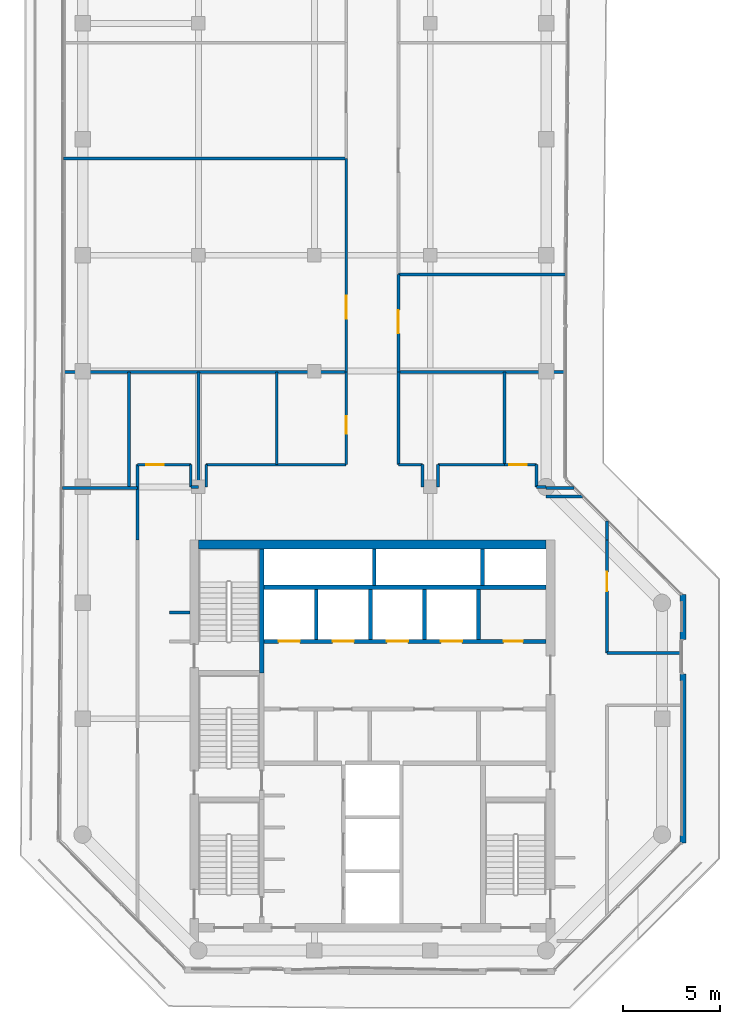
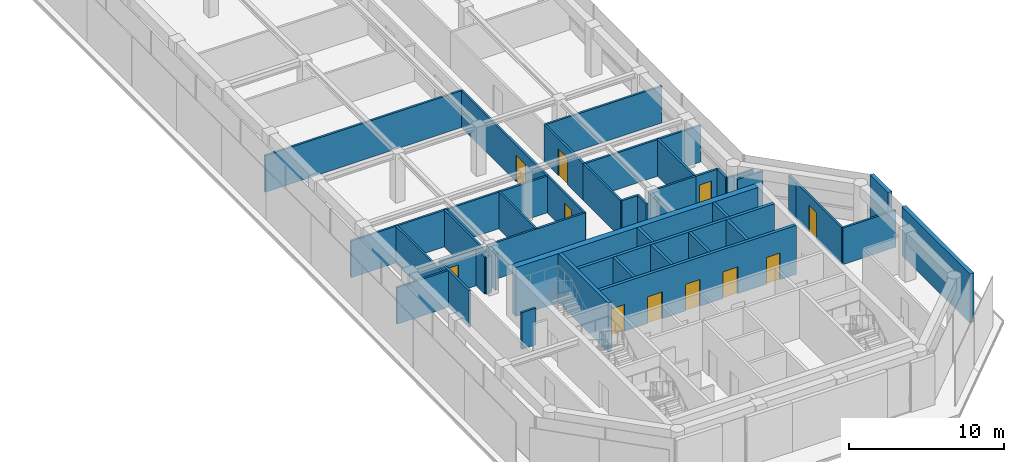
# One storey, part 16 of 19: 44 walls, 11 doors, 11 openings.
"""IFC4 building model written with IfcOpenShell, lengths in metres."""

from ifc_helpers import new_model, si_unit, direction, frame, frame_2d, origin, place, context, subcontext, project, spatial, rectangle, extrude, material, layer, layer_set, type_object, element, fill, save


model = new_model("IFC4")

# Units and contexts
model_context = context("Model", 3, precision=1e-05, world=origin(), true_north=direction((0.0, 1.0)))
body_context = subcontext(model_context, "Body", "Model", "MODEL_VIEW")
ifc_project = project(units=[si_unit("LENGTHUNIT", "METRE"), si_unit("AREAUNIT", "SQUARE_METRE"), si_unit("VOLUMEUNIT", "CUBIC_METRE"), si_unit("PLANEANGLEUNIT", "RADIAN"), si_unit("MASSUNIT", "GRAM", prefix="KILO")], contexts=[model_context])

# Site, building, storey
site_placement = place(None, origin())
site = spatial("IfcSite", under=ifc_project, at=site_placement, CompositionType="ELEMENT")
building_placement = place(site_placement, origin())
building = spatial("IfcBuilding", under=site, at=building_placement, Name="Welwitschia Terrace Campus", CompositionType="ELEMENT")
storey_placement = place(building_placement, frame((0.0, 0.0, 230.60009765625)))
storey = spatial("IfcBuildingStorey", under=building, at=storey_placement, Name="L51", CompositionType="ELEMENT", Elevation=230.60009765625)

# Wall, openings, doors
ifc_material_1 = material(Name="Concrete C32/40", Category="concrete")
ifc_layer_1 = layer(ifc_material_1, 0.22509765625)
ifc_layer_set_1 = layer_set([ifc_layer_1], Name="Concrete C32/40")
wall_type_1 = type_object("IfcWallType", Name="Core partition 225 Concrete C32/40", PredefinedType="PARTITIONING", material=ifc_layer_set_1)
wall_1_placement = place(storey_placement, frame((24.0, 20.0, 0.0), z_axis=(0.0, 0.0, 1.0), x_axis=(-1.0, 0.0, 0.0)))
wall_1 = element("IfcWall", 1, at=wall_1_placement, inside=storey, type_object=wall_type_1, Name="Shaft wall", PredefinedType="PARTITIONING", context=body_context, shape_type="SweptSolid", body=[
    extrude(rectangle(XDim=14.60009765625, YDim=0.22509765625, at=frame_2d((7.300048828125, 0.0))), origin(), (0.0, 0.0, 1.0), 3.849853515625),
])
opening_1_placement = place(wall_1_placement, frame((12.75, 0.0, 0.0)))
opening_1 = element("IfcOpeningElement", 2, at=opening_1_placement, cuts=wall_1, Name="Opening LD", PredefinedType="OPENING", context=body_context, shape_type="SweptSolid", body=[
    extrude(rectangle(XDim=1.10009765625, YDim=2.10009765625, at=frame_2d((0.550048828125, 1.050048828125))), frame((0.0, 0.12255859375, 0.0), z_axis=(0.0, -1.0, 0.0), x_axis=(1.0, 0.0, 0.0)), (0.0, 0.0, 1.0), 0.2451171875),
])
opening_2_placement = place(wall_1_placement, frame((9.949951171875, 0.0, 0.0)))
opening_2 = element("IfcOpeningElement", 3, at=opening_2_placement, cuts=wall_1, Name="Opening LD", PredefinedType="OPENING", context=body_context, shape_type="SweptSolid", body=[
    extrude(rectangle(XDim=1.10009765625, YDim=2.10009765625, at=frame_2d((0.550048828125, 1.050048828125))), frame((0.0, 0.12255859375, 0.0), z_axis=(0.0, -1.0, 0.0), x_axis=(1.0, 0.0, 0.0)), (0.0, 0.0, 1.0), 0.2451171875),
])
opening_3_placement = place(wall_1_placement, frame((7.14990234375, 0.0, 0.0)))
opening_3 = element("IfcOpeningElement", 4, at=opening_3_placement, cuts=wall_1, Name="Opening LD", PredefinedType="OPENING", context=body_context, shape_type="SweptSolid", body=[
    extrude(rectangle(XDim=1.10009765625, YDim=2.10009765625, at=frame_2d((0.550048828125, 1.050048828125))), frame((0.0, 0.12255859375, 0.0), z_axis=(0.0, -1.0, 0.0), x_axis=(1.0, 0.0, 0.0)), (0.0, 0.0, 1.0), 0.2451171875),
])
opening_4_placement = place(wall_1_placement, frame((4.35009765625, 0.0, 0.0)))
opening_4 = element("IfcOpeningElement", 5, at=opening_4_placement, cuts=wall_1, Name="Opening LD", PredefinedType="OPENING", context=body_context, shape_type="SweptSolid", body=[
    extrude(rectangle(XDim=1.10009765625, YDim=2.10009765625, at=frame_2d((0.550048828125, 1.050048828125))), frame((0.0, 0.12255859375, 0.0), z_axis=(0.0, -1.0, 0.0), x_axis=(1.0, 0.0, 0.0)), (0.0, 0.0, 1.0), 0.2451171875),
])
opening_5_placement = place(wall_1_placement, frame((1.199951171875, 0.0, 0.0)))
opening_5 = element("IfcOpeningElement", 6, at=opening_5_placement, cuts=wall_1, Name="Opening DR10", PredefinedType="OPENING", context=body_context, shape_type="SweptSolid", body=[
    extrude(rectangle(XDim=1.0, YDim=2.10009765625, at=frame_2d((0.5, 1.050048828125))), frame((0.0, 0.12255859375, 0.0), z_axis=(0.0, -1.0, 0.0), x_axis=(1.0, 0.0, 0.0)), (0.0, 0.0, 1.0), 0.2451171875),
])
ifc_material_2 = material(Name="Steel S275", Category="steel")
door_type_1 = type_object("IfcDoorType", Name="Core door DR10", OperationType="SINGLE_SWING_LEFT", PredefinedType="DOOR", material=ifc_material_2)
door_1_placement = place(opening_5_placement, origin())
door_1 = element("IfcDoor", 7, at=door_1_placement, inside=storey, type_object=door_type_1, Name="Door EH-D", OperationType="SINGLE_SWING_LEFT", OverallHeight=2.10009765625, OverallWidth=1.0, PredefinedType="DOOR", context=body_context, shape_type="SweptSolid", body=[
    extrude(rectangle(XDim=1.0, YDim=2.10009765625, at=frame_2d((0.5, 1.050048828125))), frame((0.0, 0.02490234375, 0.0), z_axis=(0.0, -1.0, 0.0), x_axis=(1.0, 0.0, 0.0)), (0.0, 0.0, 1.0), 0.050048828125),
])
fill(opening_5, door_1)
ifc_material_3 = material(Name="Stainless steel 304", Category="steel")
door_type_2 = type_object("IfcDoorType", Name="Lift landing door", OperationType="DOUBLE_DOOR_SLIDING", PredefinedType="DOOR", material=ifc_material_3)
door_2_placement = place(opening_1_placement, origin())
door_2 = element("IfcDoor", 8, at=door_2_placement, inside=storey, type_object=door_type_2, Name="Landing door HR1", OperationType="DOUBLE_DOOR_SLIDING", OverallHeight=2.10009765625, OverallWidth=1.10009765625, PredefinedType="DOOR", context=body_context, shape_type="SweptSolid", body=[
    extrude(rectangle(XDim=1.10009765625, YDim=2.10009765625, at=frame_2d((0.550048828125, 1.050048828125))), frame((0.0, 0.02490234375, 0.0), z_axis=(0.0, -1.0, 0.0), x_axis=(1.0, 0.0, 0.0)), (0.0, 0.0, 1.0), 0.050048828125),
])
fill(opening_1, door_2)
door_3_placement = place(opening_2_placement, origin())
door_3 = element("IfcDoor", 9, at=door_3_placement, inside=storey, type_object=door_type_2, Name="Landing door HR2", OperationType="DOUBLE_DOOR_SLIDING", OverallHeight=2.10009765625, OverallWidth=1.10009765625, PredefinedType="DOOR", context=body_context, shape_type="SweptSolid", body=[
    extrude(rectangle(XDim=1.10009765625, YDim=2.10009765625, at=frame_2d((0.550048828125, 1.050048828125))), frame((0.0, 0.02490234375, 0.0), z_axis=(0.0, -1.0, 0.0), x_axis=(1.0, 0.0, 0.0)), (0.0, 0.0, 1.0), 0.050048828125),
])
fill(opening_2, door_3)
door_4_placement = place(opening_3_placement, origin())
door_4 = element("IfcDoor", 10, at=door_4_placement, inside=storey, type_object=door_type_2, Name="Landing door HR3", OperationType="DOUBLE_DOOR_SLIDING", OverallHeight=2.10009765625, OverallWidth=1.10009765625, PredefinedType="DOOR", context=body_context, shape_type="SweptSolid", body=[
    extrude(rectangle(XDim=1.10009765625, YDim=2.10009765625, at=frame_2d((0.550048828125, 1.050048828125))), frame((0.0, 0.02490234375, 0.0), z_axis=(0.0, -1.0, 0.0), x_axis=(1.0, 0.0, 0.0)), (0.0, 0.0, 1.0), 0.050048828125),
])
fill(opening_3, door_4)
door_5_placement = place(opening_4_placement, origin())
door_5 = element("IfcDoor", 11, at=door_5_placement, inside=storey, type_object=door_type_2, Name="Landing door HR4", OperationType="DOUBLE_DOOR_SLIDING", OverallHeight=2.10009765625, OverallWidth=1.10009765625, PredefinedType="DOOR", context=body_context, shape_type="SweptSolid", body=[
    extrude(rectangle(XDim=1.10009765625, YDim=2.10009765625, at=frame_2d((0.550048828125, 1.050048828125))), frame((0.0, 0.02490234375, 0.0), z_axis=(0.0, -1.0, 0.0), x_axis=(1.0, 0.0, 0.0)), (0.0, 0.0, 1.0), 0.050048828125),
])
fill(opening_4, door_5)

# Walls
wall_2_placement = place(storey_placement, frame((9.39990234375, 22.800048828125, 0.0), z_axis=(0.0, 0.0, 1.0), x_axis=(1.0, 0.0, 0.0)))
element("IfcWall", 12, at=wall_2_placement, inside=storey, type_object=wall_type_1, Name="Shaft wall", PredefinedType="PARTITIONING", context=body_context, shape_type="SweptSolid", body=[
    extrude(rectangle(XDim=14.60009765625, YDim=0.22509765625, at=frame_2d((7.300048828125, 0.0))), origin(), (0.0, 0.0, 1.0), 3.849853515625),
])
wall_3_placement = place(storey_placement, frame((20.5, 20.10009765625, 0.0), z_axis=(0.0, 0.0, 1.0), x_axis=(0.0, 1.0, 0.0)))
element("IfcWall", 13, at=wall_3_placement, inside=storey, type_object=wall_type_1, Name="Shaft wall", PredefinedType="PARTITIONING", context=body_context, shape_type="SweptSolid", body=[
    extrude(rectangle(XDim=2.599853515625, YDim=0.22509765625, at=frame_2d((1.2998046875, 0.0))), origin(), (0.0, 0.0, 1.0), 3.849853515625),
])
ifc_material_4 = material(Name="Concrete C50/60", Category="concrete")
ifc_layer_2 = layer(ifc_material_4, 0.199951171875)
ifc_layer_set_2 = layer_set([ifc_layer_2], Name="Concrete C50/60")
wall_type_2 = type_object("IfcWallType", Name="Core wall 200 Concrete C50/60", PredefinedType="SHEAR", material=ifc_layer_set_2)
for number, where, z_axis, x_axis, name in (
    (14, (15.10009765625, 22.89990234375, 0.0), (0.0, 0.0, 1.0), (0.0, 1.0, 0.0), "Core wall"),
    (15, (20.699951171875, 22.89990234375, 0.0), (0.0, 0.0, 1.0), (0.0, 1.0, 0.0), "Core wall"),
):
    element("IfcWall", number, at=place(storey_placement, frame(where, z_axis=z_axis, x_axis=x_axis)), inside=storey, type_object=wall_type_2, Name=name, PredefinedType="SHEAR", context=body_context, shape_type="SweptSolid", body=[
        extrude(rectangle(XDim=1.900146484375, YDim=0.199951171875, at=frame_2d((0.9501953125, 0.0))), origin(), (0.0, 0.0, 1.0), 3.849853515625),
    ])
ifc_material_5 = material(Name="Concrete C50/60", Category="concrete")
ifc_layer_3 = layer(ifc_material_5, 0.25)
ifc_layer_set_3 = layer_set([ifc_layer_3], Name="Concrete C50/60")
wall_type_3 = type_object("IfcWallType", Name="Core wall 250 Concrete C50/60", PredefinedType="SHEAR", material=ifc_layer_set_3)
wall_4_placement = place(storey_placement, frame((9.27490234375, 18.375, 0.0), z_axis=(0.0, 0.0, 1.0), x_axis=(0.0, 1.0, 0.0)))
element("IfcWall", 16, at=wall_4_placement, inside=storey, type_object=wall_type_3, Name="Core wall", PredefinedType="SHEAR", context=body_context, shape_type="SweptSolid", body=[
    extrude(rectangle(XDim=6.425048828125, YDim=0.25, at=frame_2d((3.21240234375, 0.0))), origin(), (0.0, 0.0, 1.0), 3.849853515625),
])
ifc_material_6 = material(Name="Concrete C60/75", Category="concrete")
ifc_layer_4 = layer(ifc_material_6, 0.449951171875)
ifc_layer_set_4 = layer_set([ifc_layer_4], Name="Concrete C60/75")
wall_type_4 = type_object("IfcWallType", Name="Core wall 450 Concrete C60/75", PredefinedType="SHEAR", material=ifc_layer_set_4)
wall_5_placement = place(storey_placement, frame((6.0, 25.02490234375, 0.0), z_axis=(0.0, 0.0, 1.0), x_axis=(1.0, 0.0, 0.0)))
element("IfcWall", 17, at=wall_5_placement, inside=storey, type_object=wall_type_4, Name="Core outer wall", PredefinedType="SHEAR", context=body_context, shape_type="SweptSolid", body=[
    extrude(rectangle(XDim=18.0, YDim=0.449951171875, at=frame_2d((9.0, 0.0))), origin(), (0.0, 0.0, 1.0), 3.849853515625),
])
ifc_material_7 = material(Name="Gypsum board on steel studs", Category="steel")
ifc_layer_5 = layer(ifc_material_7, 0.14990234375)
ifc_layer_set_5 = layer_set([ifc_layer_5], Name="Gypsum board on steel studs")
wall_type_5 = type_object("IfcWallType", Name="Corridor partition 150 EI 30", PredefinedType="PARTITIONING", material=ifc_layer_set_5)
wall_6_placement = place(storey_placement, frame((-1.050048828125, 27.949951171875, 0.0), z_axis=(0.0, 0.0, 1.0), x_axis=(1.0, 0.0, 0.0)))
element("IfcWall", 18, at=wall_6_placement, inside=storey, type_object=wall_type_5, Name="Partition", PredefinedType="PARTITIONING", context=body_context, shape_type="SweptSolid", body=[
    extrude(rectangle(XDim=3.900146484375, YDim=0.14990234375, at=frame_2d((1.9501953125, 0.0))), origin(), (0.0, 0.0, 1.0), 2.8798828125),
])
wall_7_placement = place(storey_placement, frame((-1.0, 33.949951171875, 0.0), z_axis=(0.0, 0.0, 1.0), x_axis=(1.0, 0.0, 0.0)))
element("IfcWall", 19, at=wall_7_placement, inside=storey, type_object=wall_type_5, Name="Partition", PredefinedType="PARTITIONING", context=body_context, shape_type="SweptSolid", body=[
    extrude(rectangle(XDim=14.64990234375, YDim=0.14990234375, at=frame_2d((7.324951171875, 0.0))), origin(), (0.0, 0.0, 1.0), 2.8798828125),
])
wall_8_placement = place(storey_placement, frame((-0.97998046875, 45.0, 0.0), z_axis=(0.0, 0.0, 1.0), x_axis=(1.0, 0.0, 0.0)))
element("IfcWall", 20, at=wall_8_placement, inside=storey, type_object=wall_type_5, Name="Partition", PredefinedType="PARTITIONING", context=body_context, shape_type="SweptSolid", body=[
    extrude(rectangle(XDim=14.6298828125, YDim=0.14990234375, at=frame_2d((7.31494140625, 0.0))), origin(), (0.0, 0.0, 1.0), 2.8798828125),
])
wall_9_placement = place(storey_placement, frame((2.39990234375, 27.949951171875, 0.0), z_axis=(0.0, 0.0, 1.0), x_axis=(0.0, 1.0, 0.0)))
element("IfcWall", 21, at=wall_9_placement, inside=storey, type_object=wall_type_5, Name="Partition", PredefinedType="PARTITIONING", context=body_context, shape_type="SweptSolid", body=[
    extrude(rectangle(XDim=6.0, YDim=0.14990234375, at=frame_2d((3.0, 0.0))), origin(), (0.0, 0.0, 1.0), 2.8798828125),
])
wall_10_placement = place(storey_placement, frame((2.85009765625, 25.25, 0.0), z_axis=(0.0, 0.0, 1.0), x_axis=(0.0, 1.0, 0.0)))
element("IfcWall", 22, at=wall_10_placement, inside=storey, type_object=wall_type_5, Name="Partition", PredefinedType="PARTITIONING", context=body_context, shape_type="SweptSolid", body=[
    extrude(rectangle(XDim=3.89990234375, YDim=0.14990234375, at=frame_2d((1.949951171875, 0.0))), origin(), (0.0, 0.0, 1.0), 2.8798828125),
])

# Wall, opening, door
wall_11_placement = place(storey_placement, frame((2.85009765625, 29.14990234375, 0.0), z_axis=(0.0, 0.0, 1.0), x_axis=(1.0, 0.0, 0.0)))
wall_11 = element("IfcWall", 23, at=wall_11_placement, inside=storey, type_object=wall_type_5, Name="Partition", PredefinedType="PARTITIONING", context=body_context, shape_type="SweptSolid", body=[
    extrude(rectangle(XDim=2.75, YDim=0.14990234375, at=frame_2d((1.375, 0.0))), origin(), (0.0, 0.0, 1.0), 2.8798828125),
])
opening_6_placement = place(wall_11_placement, frame((0.449951171875, 0.0, 0.0)))
opening_6 = element("IfcOpeningElement", 24, at=opening_6_placement, cuts=wall_11, Name="Opening DI09", PredefinedType="OPENING", context=body_context, shape_type="SweptSolid", body=[
    extrude(rectangle(XDim=0.89990234375, YDim=2.10009765625, at=frame_2d((0.449951171875, 1.050048828125))), frame((0.0, 0.0849609375, 0.0), z_axis=(0.0, -1.0, 0.0), x_axis=(1.0, 0.0, 0.0)), (0.0, 0.0, 1.0), 0.169921875),
])
ifc_material_8 = material(Name="Timber veneered door", Category="wood")
door_type_3 = type_object("IfcDoorType", Name="Interior door DI09", OperationType="NOTDEFINED", PredefinedType="DOOR", material=ifc_material_8)
door_6_placement = place(opening_6_placement, origin())
door_6 = element("IfcDoor", 25, at=door_6_placement, inside=storey, type_object=door_type_3, Name="Door L51 949", OperationType="SINGLE_SWING_RIGHT", OverallHeight=2.10009765625, OverallWidth=0.89990234375, PredefinedType="DOOR", context=body_context, shape_type="SweptSolid", body=[
    extrude(rectangle(XDim=0.89990234375, YDim=2.10009765625, at=frame_2d((0.449951171875, 1.050048828125))), frame((0.0, 0.02490234375, 0.0), z_axis=(0.0, -1.0, 0.0), x_axis=(1.0, 0.0, 0.0)), (0.0, 0.0, 1.0), 0.050048828125),
])
fill(opening_6, door_6)

# Walls
wall_12_placement = place(storey_placement, frame((4.5, 21.5, 0.0), z_axis=(0.0, 0.0, 1.0), x_axis=(1.0, 0.0, 0.0)))
element("IfcWall", 26, at=wall_12_placement, inside=storey, type_object=wall_type_5, Name="Partition", PredefinedType="PARTITIONING", context=body_context, shape_type="SweptSolid", body=[
    extrude(rectangle(XDim=1.050048828125, YDim=0.14990234375, at=frame_2d((0.52490234375, 0.0))), origin(), (0.0, 0.0, 1.0), 2.8798828125),
])
wall_13_placement = place(storey_placement, frame((5.60009765625, 28.0, 0.0), z_axis=(0.0, 0.0, 1.0), x_axis=(0.0, 1.0, 0.0)))
element("IfcWall", 27, at=wall_13_placement, inside=storey, type_object=wall_type_5, Name="Partition", PredefinedType="PARTITIONING", context=body_context, shape_type="SweptSolid", body=[
    extrude(rectangle(XDim=1.14990234375, YDim=0.14990234375, at=frame_2d((0.574951171875, 0.0))), origin(), (0.0, 0.0, 1.0), 2.8798828125),
])
wall_14_placement = place(storey_placement, frame((5.60009765625, 28.0, 0.0), z_axis=(0.0, 0.0, 1.0), x_axis=(1.0, 0.0, 0.0)))
element("IfcWall", 28, at=wall_14_placement, inside=storey, type_object=wall_type_5, Name="Partition", PredefinedType="PARTITIONING", context=body_context, shape_type="SweptSolid", body=[
    extrude(rectangle(XDim=0.39990234375, YDim=0.14990234375, at=frame_2d((0.199951171875, 0.0))), origin(), (0.0, 0.0, 1.0), 2.8798828125),
])
wall_15_placement = place(storey_placement, frame((6.0, 28.0, 0.0), z_axis=(0.0, 0.0, 1.0), x_axis=(0.0, 1.0, 0.0)))
element("IfcWall", 29, at=wall_15_placement, inside=storey, type_object=wall_type_5, Name="Partition", PredefinedType="PARTITIONING", context=body_context, shape_type="SweptSolid", body=[
    extrude(rectangle(XDim=5.949951171875, YDim=0.14990234375, at=frame_2d((2.97509765625, 0.0))), origin(), (0.0, 0.0, 1.0), 2.8798828125),
])
wall_16_placement = place(storey_placement, frame((6.39990234375, 28.0, 0.0), z_axis=(0.0, 0.0, 1.0), x_axis=(0.0, 1.0, 0.0)))
element("IfcWall", 30, at=wall_16_placement, inside=storey, type_object=wall_type_5, Name="Partition", PredefinedType="PARTITIONING", context=body_context, shape_type="SweptSolid", body=[
    extrude(rectangle(XDim=1.14990234375, YDim=0.14990234375, at=frame_2d((0.574951171875, 0.0))), origin(), (0.0, 0.0, 1.0), 2.8798828125),
])
wall_17_placement = place(storey_placement, frame((6.39990234375, 29.14990234375, 0.0), z_axis=(0.0, 0.0, 1.0), x_axis=(1.0, 0.0, 0.0)))
element("IfcWall", 31, at=wall_17_placement, inside=storey, type_object=wall_type_5, Name="Partition", PredefinedType="PARTITIONING", context=body_context, shape_type="SweptSolid", body=[
    extrude(rectangle(XDim=7.25, YDim=0.14990234375, at=frame_2d((3.625, 0.0))), origin(), (0.0, 0.0, 1.0), 2.8798828125),
])
wall_18_placement = place(storey_placement, frame((10.050048828125, 29.14990234375, 0.0), z_axis=(0.0, 0.0, 1.0), x_axis=(0.0, 1.0, 0.0)))
element("IfcWall", 32, at=wall_18_placement, inside=storey, type_object=wall_type_5, Name="Partition", PredefinedType="PARTITIONING", context=body_context, shape_type="SweptSolid", body=[
    extrude(rectangle(XDim=4.800048828125, YDim=0.14990234375, at=frame_2d((2.39990234375, 0.0))), origin(), (0.0, 0.0, 1.0), 2.8798828125),
])

# Wall, opening, door
wall_19_placement = place(storey_placement, frame((13.64990234375, 29.14990234375, 0.0), z_axis=(0.0, 0.0, 1.0), x_axis=(0.0, 1.0, 0.0)))
wall_19 = element("IfcWall", 33, at=wall_19_placement, inside=storey, type_object=wall_type_5, Name="Partition", PredefinedType="PARTITIONING", context=body_context, shape_type="SweptSolid", body=[
    extrude(rectangle(XDim=4.800048828125, YDim=0.14990234375, at=frame_2d((2.39990234375, 0.0))), origin(), (0.0, 0.0, 1.0), 2.8798828125),
])
opening_7_placement = place(wall_19_placement, frame((1.60009765625, 0.0, 0.0)))
opening_7 = element("IfcOpeningElement", 34, at=opening_7_placement, cuts=wall_19, Name="Opening DI09", PredefinedType="OPENING", context=body_context, shape_type="SweptSolid", body=[
    extrude(rectangle(XDim=0.89990234375, YDim=2.10009765625, at=frame_2d((0.449951171875, 1.050048828125))), frame((0.0, 0.0849609375, 0.0), z_axis=(0.0, -1.0, 0.0), x_axis=(1.0, 0.0, 0.0)), (0.0, 0.0, 1.0), 0.169921875),
])
door_7_placement = place(opening_7_placement, origin())
door_7 = element("IfcDoor", 35, at=door_7_placement, inside=storey, type_object=door_type_3, Name="Door L51 950", OperationType="SINGLE_SWING_LEFT", OverallHeight=2.10009765625, OverallWidth=0.89990234375, PredefinedType="DOOR", context=body_context, shape_type="SweptSolid", body=[
    extrude(rectangle(XDim=0.89990234375, YDim=2.10009765625, at=frame_2d((0.449951171875, 1.050048828125))), frame((0.0, 0.02490234375, 0.0), z_axis=(0.0, -1.0, 0.0), x_axis=(1.0, 0.0, 0.0)), (0.0, 0.0, 1.0), 0.050048828125),
])
fill(opening_7, door_7)

wall_20_placement = place(storey_placement, frame((13.64990234375, 33.949951171875, 0.0), z_axis=(0.0, 0.0, 1.0), x_axis=(0.0, 1.0, 0.0)))
wall_20 = element("IfcWall", 36, at=wall_20_placement, inside=storey, type_object=wall_type_5, Name="Partition", PredefinedType="PARTITIONING", context=body_context, shape_type="SweptSolid", body=[
    extrude(rectangle(XDim=11.050048828125, YDim=0.14990234375, at=frame_2d((5.52490234375, 0.0))), origin(), (0.0, 0.0, 1.0), 2.8798828125),
])
opening_8_placement = place(wall_20_placement, frame((2.75, 0.0, 0.0)))
opening_8 = element("IfcOpeningElement", 37, at=opening_8_placement, cuts=wall_20, Name="Opening DI12", PredefinedType="OPENING", context=body_context, shape_type="SweptSolid", body=[
    extrude(rectangle(XDim=1.199951171875, YDim=2.10009765625, at=frame_2d((0.60009765625, 1.050048828125))), frame((0.0, 0.0849609375, 0.0), z_axis=(0.0, -1.0, 0.0), x_axis=(1.0, 0.0, 0.0)), (0.0, 0.0, 1.0), 0.169921875),
])
ifc_material_9 = material(Name="Timber veneered door", Category="wood")
door_type_4 = type_object("IfcDoorType", Name="Interior door DI12", OperationType="NOTDEFINED", PredefinedType="DOOR", material=ifc_material_9)
door_8_placement = place(opening_8_placement, origin())
door_8 = element("IfcDoor", 38, at=door_8_placement, inside=storey, type_object=door_type_4, Name="Door L51 951", OperationType="SINGLE_SWING_RIGHT", OverallHeight=2.10009765625, OverallWidth=1.199951171875, PredefinedType="DOOR", context=body_context, shape_type="SweptSolid", body=[
    extrude(rectangle(XDim=1.199951171875, YDim=2.10009765625, at=frame_2d((0.60009765625, 1.050048828125))), frame((0.0, 0.02490234375, 0.0), z_axis=(0.0, -1.0, 0.0), x_axis=(1.0, 0.0, 0.0)), (0.0, 0.0, 1.0), 0.050048828125),
])
fill(opening_8, door_8)

# Walls
wall_21_placement = place(storey_placement, frame((16.35009765625, 29.14990234375, 0.0), z_axis=(0.0, 0.0, 1.0), x_axis=(0.0, 1.0, 0.0)))
element("IfcWall", 39, at=wall_21_placement, inside=storey, type_object=wall_type_5, Name="Partition", PredefinedType="PARTITIONING", context=body_context, shape_type="SweptSolid", body=[
    extrude(rectangle(XDim=4.800048828125, YDim=0.14990234375, at=frame_2d((2.39990234375, 0.0))), origin(), (0.0, 0.0, 1.0), 2.8798828125),
])
wall_22_placement = place(storey_placement, frame((16.35009765625, 29.14990234375, 0.0), z_axis=(0.0, 0.0, 1.0), x_axis=(1.0, 0.0, 0.0)))
element("IfcWall", 40, at=wall_22_placement, inside=storey, type_object=wall_type_5, Name="Partition", PredefinedType="PARTITIONING", context=body_context, shape_type="SweptSolid", body=[
    extrude(rectangle(XDim=1.25, YDim=0.14990234375, at=frame_2d((0.625, 0.0))), origin(), (0.0, 0.0, 1.0), 2.8798828125),
])
wall_23_placement = place(storey_placement, frame((16.35009765625, 33.949951171875, 0.0), z_axis=(0.0, 0.0, 1.0), x_axis=(1.0, 0.0, 0.0)))
element("IfcWall", 41, at=wall_23_placement, inside=storey, type_object=wall_type_5, Name="Partition", PredefinedType="PARTITIONING", context=body_context, shape_type="SweptSolid", body=[
    extrude(rectangle(XDim=8.6298828125, YDim=0.14990234375, at=frame_2d((4.31494140625, 0.0))), origin(), (0.0, 0.0, 1.0), 2.8798828125),
])

# Wall, opening, door
wall_24_placement = place(storey_placement, frame((16.35009765625, 39.0, 0.0), z_axis=(0.0, 0.0, 1.0), x_axis=(0.0, -1.0, 0.0)))
wall_24 = element("IfcWall", 42, at=wall_24_placement, inside=storey, type_object=wall_type_5, Name="Partition", PredefinedType="PARTITIONING", context=body_context, shape_type="SweptSolid", body=[
    extrude(rectangle(XDim=5.050048828125, YDim=0.14990234375, at=frame_2d((2.52490234375, 0.0))), origin(), (0.0, 0.0, 1.0), 2.8798828125),
])
opening_9_placement = place(wall_24_placement, frame((1.85009765625, 0.0, 0.0)))
opening_9 = element("IfcOpeningElement", 43, at=opening_9_placement, cuts=wall_24, Name="Opening DI12", PredefinedType="OPENING", context=body_context, shape_type="SweptSolid", body=[
    extrude(rectangle(XDim=1.199951171875, YDim=2.10009765625, at=frame_2d((0.60009765625, 1.050048828125))), frame((0.0, 0.0849609375, 0.0), z_axis=(0.0, -1.0, 0.0), x_axis=(1.0, 0.0, 0.0)), (0.0, 0.0, 1.0), 0.169921875),
])
door_9_placement = place(opening_9_placement, origin())
door_9 = element("IfcDoor", 44, at=door_9_placement, inside=storey, type_object=door_type_4, Name="Door L51 955", OperationType="SINGLE_SWING_RIGHT", OverallHeight=2.10009765625, OverallWidth=1.199951171875, PredefinedType="DOOR", context=body_context, shape_type="SweptSolid", body=[
    extrude(rectangle(XDim=1.199951171875, YDim=2.10009765625, at=frame_2d((0.60009765625, 1.050048828125))), frame((0.0, 0.02490234375, 0.0), z_axis=(0.0, -1.0, 0.0), x_axis=(1.0, 0.0, 0.0)), (0.0, 0.0, 1.0), 0.050048828125),
])
fill(opening_9, door_9)

# Walls
wall_25_placement = place(storey_placement, frame((16.35009765625, 39.0, 0.0), z_axis=(0.0, 0.0, 1.0), x_axis=(1.0, 0.0, 0.0)))
element("IfcWall", 45, at=wall_25_placement, inside=storey, type_object=wall_type_5, Name="Partition", PredefinedType="PARTITIONING", context=body_context, shape_type="SweptSolid", body=[
    extrude(rectangle(XDim=8.64990234375, YDim=0.14990234375, at=frame_2d((4.324951171875, 0.0))), origin(), (0.0, 0.0, 1.0), 2.8798828125),
])
for number, where, z_axis, x_axis, name in (
    (46, (17.60009765625, 28.0, 0.0), (0.0, 0.0, 1.0), (0.0, 1.0, 0.0), "Partition"),
    (47, (18.39990234375, 28.0, 0.0), (0.0, 0.0, 1.0), (0.0, 1.0, 0.0), "Partition"),
):
    element("IfcWall", number, at=place(storey_placement, frame(where, z_axis=z_axis, x_axis=x_axis)), inside=storey, type_object=wall_type_5, Name=name, PredefinedType="PARTITIONING", context=body_context, shape_type="SweptSolid", body=[
        extrude(rectangle(XDim=1.14990234375, YDim=0.14990234375, at=frame_2d((0.574951171875, 0.0))), origin(), (0.0, 0.0, 1.0), 2.8798828125),
    ])
wall_26_placement = place(storey_placement, frame((18.39990234375, 29.14990234375, 0.0), z_axis=(0.0, 0.0, 1.0), x_axis=(1.0, 0.0, 0.0)))
element("IfcWall", 48, at=wall_26_placement, inside=storey, type_object=wall_type_5, Name="Partition", PredefinedType="PARTITIONING", context=body_context, shape_type="SweptSolid", body=[
    extrude(rectangle(XDim=3.440185546875, YDim=0.14990234375, at=frame_2d((1.72021484375, 0.0))), origin(), (0.0, 0.0, 1.0), 2.8798828125),
])
wall_27_placement = place(storey_placement, frame((21.840087890625, 29.14990234375, 0.0), z_axis=(0.0, 0.0, 1.0), x_axis=(0.0, 1.0, 0.0)))
element("IfcWall", 49, at=wall_27_placement, inside=storey, type_object=wall_type_5, Name="Partition", PredefinedType="PARTITIONING", context=body_context, shape_type="SweptSolid", body=[
    extrude(rectangle(XDim=4.800048828125, YDim=0.14990234375, at=frame_2d((2.39990234375, 0.0))), origin(), (0.0, 0.0, 1.0), 2.8798828125),
])

# Wall, opening, door
wall_28_placement = place(storey_placement, frame((21.840087890625, 29.14990234375, 0.0), z_axis=(0.0, 0.0, 1.0), x_axis=(1.0, 0.0, 0.0)))
wall_28 = element("IfcWall", 50, at=wall_28_placement, inside=storey, type_object=wall_type_5, Name="Partition", PredefinedType="PARTITIONING", context=body_context, shape_type="SweptSolid", body=[
    extrude(rectangle(XDim=1.659912109375, YDim=0.14990234375, at=frame_2d((0.830078125, 0.0))), origin(), (0.0, 0.0, 1.0), 2.8798828125),
])
opening_10_placement = place(wall_28_placement, frame((0.260009765625, 0.0, 0.0)))
opening_10 = element("IfcOpeningElement", 51, at=opening_10_placement, cuts=wall_28, Name="Opening DI09", PredefinedType="OPENING", context=body_context, shape_type="SweptSolid", body=[
    extrude(rectangle(XDim=0.89990234375, YDim=2.10009765625, at=frame_2d((0.449951171875, 1.050048828125))), frame((0.0, 0.0849609375, 0.0), z_axis=(0.0, -1.0, 0.0), x_axis=(1.0, 0.0, 0.0)), (0.0, 0.0, 1.0), 0.169921875),
])
door_10_placement = place(opening_10_placement, origin())
door_10 = element("IfcDoor", 52, at=door_10_placement, inside=storey, type_object=door_type_3, Name="Door L51 958", OperationType="SINGLE_SWING_LEFT", OverallHeight=2.10009765625, OverallWidth=0.89990234375, PredefinedType="DOOR", context=body_context, shape_type="SweptSolid", body=[
    extrude(rectangle(XDim=0.89990234375, YDim=2.10009765625, at=frame_2d((0.449951171875, 1.050048828125))), frame((0.0, 0.02490234375, 0.0), z_axis=(0.0, -1.0, 0.0), x_axis=(1.0, 0.0, 0.0)), (0.0, 0.0, 1.0), 0.050048828125),
])
fill(opening_10, door_10)

# Walls
wall_29_placement = place(storey_placement, frame((23.5, 28.0, 0.0), z_axis=(0.0, 0.0, 1.0), x_axis=(0.0, 1.0, 0.0)))
element("IfcWall", 53, at=wall_29_placement, inside=storey, type_object=wall_type_5, Name="Partition", PredefinedType="PARTITIONING", context=body_context, shape_type="SweptSolid", body=[
    extrude(rectangle(XDim=1.14990234375, YDim=0.14990234375, at=frame_2d((0.574951171875, 0.0))), origin(), (0.0, 0.0, 1.0), 2.8798828125),
])
wall_30_placement = place(storey_placement, frame((23.5, 28.0, 0.0), z_axis=(0.0, 0.0, 1.0), x_axis=(1.0, 0.0, 0.0)))
element("IfcWall", 54, at=wall_30_placement, inside=storey, type_object=wall_type_5, Name="Partition", PredefinedType="PARTITIONING", context=body_context, shape_type="SweptSolid", body=[
    extrude(rectangle(XDim=0.5, YDim=0.14990234375, at=frame_2d((0.25, 0.0))), origin(), (0.0, 0.0, 1.0), 2.8798828125),
])
wall_31_placement = place(storey_placement, frame((24.0, 27.5, 0.0), z_axis=(0.0, 0.0, 1.0), x_axis=(1.0, 0.0, 0.0)))
element("IfcWall", 55, at=wall_31_placement, inside=storey, type_object=wall_type_5, Name="Partition", PredefinedType="PARTITIONING", context=body_context, shape_type="SweptSolid", body=[
    extrude(rectangle(XDim=1.889892578125, YDim=0.14990234375, at=frame_2d((0.94482421875, 0.0))), origin(), (0.0, 0.0, 1.0), 2.8798828125),
])
wall_32_placement = place(storey_placement, frame((24.0, 27.949951171875, 0.0), z_axis=(0.0, 0.0, 1.0), x_axis=(1.0, 0.0, 0.0)))
element("IfcWall", 56, at=wall_32_placement, inside=storey, type_object=wall_type_5, Name="Partition", PredefinedType="PARTITIONING", context=body_context, shape_type="SweptSolid", body=[
    extrude(rectangle(XDim=1.43994140625, YDim=0.14990234375, at=frame_2d((0.719970703125, 0.0))), origin(), (0.0, 0.0, 1.0), 2.8798828125),
])
wall_33_placement = place(storey_placement, frame((27.14990234375, 19.39990234375, 0.0), z_axis=(0.0, 0.0, 1.0), x_axis=(1.0, 0.0, 0.0)))
element("IfcWall", 57, at=wall_33_placement, inside=storey, type_object=wall_type_5, Name="Partition", PredefinedType="PARTITIONING", context=body_context, shape_type="SweptSolid", body=[
    extrude(rectangle(XDim=3.940185546875, YDim=0.14990234375, at=frame_2d((1.97021484375, 0.0))), origin(), (0.0, 0.0, 1.0), 2.8798828125),
])

# Wall, opening, door
wall_34_placement = place(storey_placement, frame((27.14990234375, 25.25, 0.0), z_axis=(0.0, 0.0, 1.0), x_axis=(0.0, -1.0, 0.0)))
wall_34 = element("IfcWall", 58, at=wall_34_placement, inside=storey, type_object=wall_type_5, Name="Partition", PredefinedType="PARTITIONING", context=body_context, shape_type="SweptSolid", body=[
    extrude(rectangle(XDim=5.85009765625, YDim=0.14990234375, at=frame_2d((2.925048828125, 0.0))), origin(), (0.0, 0.0, 1.0), 2.8798828125),
])
opening_11_placement = place(wall_34_placement, frame((1.64990234375, 0.0, 0.0)))
opening_11 = element("IfcOpeningElement", 59, at=opening_11_placement, cuts=wall_34, Name="Opening DI10", PredefinedType="OPENING", context=body_context, shape_type="SweptSolid", body=[
    extrude(rectangle(XDim=1.0, YDim=2.10009765625, at=frame_2d((0.5, 1.050048828125))), frame((0.0, 0.0849609375, 0.0), z_axis=(0.0, -1.0, 0.0), x_axis=(1.0, 0.0, 0.0)), (0.0, 0.0, 1.0), 0.169921875),
])
ifc_material_10 = material(Name="Timber veneered door", Category="wood")
door_type_5 = type_object("IfcDoorType", Name="Interior door DI10", OperationType="NOTDEFINED", PredefinedType="DOOR", material=ifc_material_10)
door_11_placement = place(opening_11_placement, origin())
door_11 = element("IfcDoor", 60, at=door_11_placement, inside=storey, type_object=door_type_5, Name="Door L51 960", OperationType="SINGLE_SWING_LEFT", OverallHeight=2.10009765625, OverallWidth=1.0, PredefinedType="DOOR", context=body_context, shape_type="SweptSolid", body=[
    extrude(rectangle(XDim=1.0, YDim=2.10009765625, at=frame_2d((0.5, 1.050048828125))), frame((0.0, 0.02490234375, 0.0), z_axis=(0.0, -1.0, 0.0), x_axis=(1.0, 0.0, 0.0)), (0.0, 0.0, 1.0), 0.050048828125),
])
fill(opening_11, door_11)

# Walls
wall_35_placement = place(storey_placement, frame((27.14990234375, 25.25, 0.0), z_axis=(0.0, 0.0, 1.0), x_axis=(0.0, 1.0, 0.0)))
element("IfcWall", 61, at=wall_35_placement, inside=storey, type_object=wall_type_5, Name="Partition", PredefinedType="PARTITIONING", context=body_context, shape_type="SweptSolid", body=[
    extrude(rectangle(XDim=0.97998046875, YDim=0.14990234375, at=frame_2d((0.489990234375, 0.0))), origin(), (0.0, 0.0, 1.0), 2.8798828125),
])
ifc_material_11 = material(Name="Concrete C40/50", Category="concrete")
ifc_layer_6 = layer(ifc_material_11, 0.300048828125)
ifc_layer_set_6 = layer_set([ifc_layer_6], Name="Concrete C40/50")
wall_type_6 = type_object("IfcWallType", Name="Mass wall 300", PredefinedType="SOLIDWALL", material=ifc_layer_set_6)
wall_36_placement = place(storey_placement, frame((31.07958984375, 9.573486328125, 0.0), z_axis=(0.0, 0.0, 1.0), x_axis=(0.0, 1.0, 0.0)))
element("IfcWall", 62, at=wall_36_placement, inside=storey, type_object=wall_type_6, Name="Mass wall L51.7.0", PredefinedType="SOLIDWALL", context=body_context, shape_type="SweptSolid", body=[
    extrude(rectangle(XDim=8.73974609375, YDim=0.300048828125, at=frame_2d((4.369873046875, 0.0))), origin(), (0.0, 0.0, 1.0), 3.849853515625),
])
wall_37_placement = place(storey_placement, frame((31.07958984375, 20.11328125, 0.0), z_axis=(0.0, 0.0, 1.0), x_axis=(0.0, 1.0, 0.0)))
element("IfcWall", 63, at=wall_37_placement, inside=storey, type_object=wall_type_6, Name="Mass wall L51.7.1", PredefinedType="SOLIDWALL", context=body_context, shape_type="SweptSolid", body=[
    extrude(rectangle(XDim=2.313232421875, YDim=0.300048828125, at=frame_2d((1.15673828125, 0.0))), origin(), (0.0, 0.0, 1.0), 3.849853515625),
])
ifc_material_12 = material(Name="Concrete C32/40", Category="concrete")
ifc_layer_7 = layer(ifc_material_12, 0.199951171875)
ifc_layer_set_7 = layer_set([ifc_layer_7], Name="Concrete C32/40")
wall_type_7 = type_object("IfcWallType", Name="Shaft wall 200 Concrete C32/40", PredefinedType="SOLIDWALL", material=ifc_layer_set_7)
for number, where, z_axis, x_axis, name in (
    (64, (12.10009765625, 20.10009765625, 0.0), (0.0, 0.0, 1.0), (0.0, 1.0, 0.0), "Shaft wall"),
    (65, (14.89990234375, 20.10009765625, 0.0), (0.0, 0.0, 1.0), (0.0, 1.0, 0.0), "Shaft wall"),
    (66, (17.699951171875, 20.10009765625, 0.0), (0.0, 0.0, 1.0), (0.0, 1.0, 0.0), "Shaft wall"),
):
    element("IfcWall", number, at=place(storey_placement, frame(where, z_axis=z_axis, x_axis=x_axis)), inside=storey, type_object=wall_type_7, Name=name, PredefinedType="SOLIDWALL", context=body_context, shape_type="SweptSolid", body=[
        extrude(rectangle(XDim=2.599853515625, YDim=0.199951171875, at=frame_2d((1.2998046875, 0.0))), origin(), (0.0, 0.0, 1.0), 3.849853515625),
    ])

save(model, "model.ifc")
